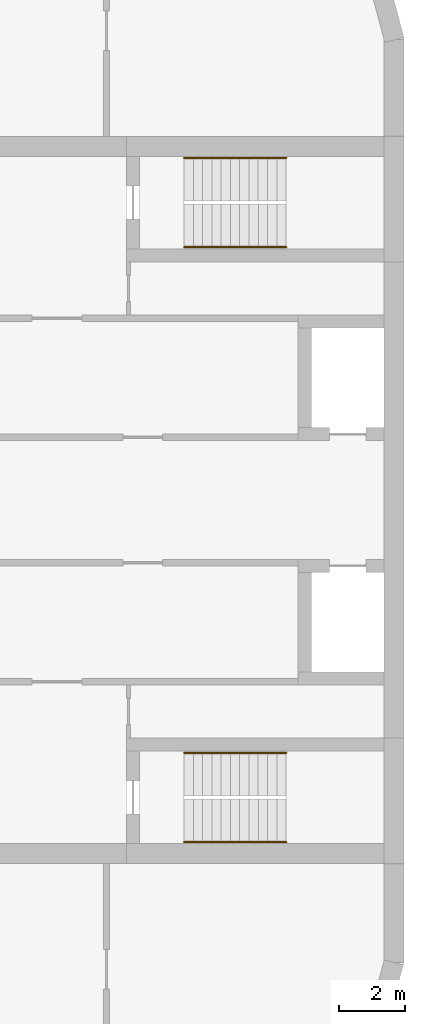
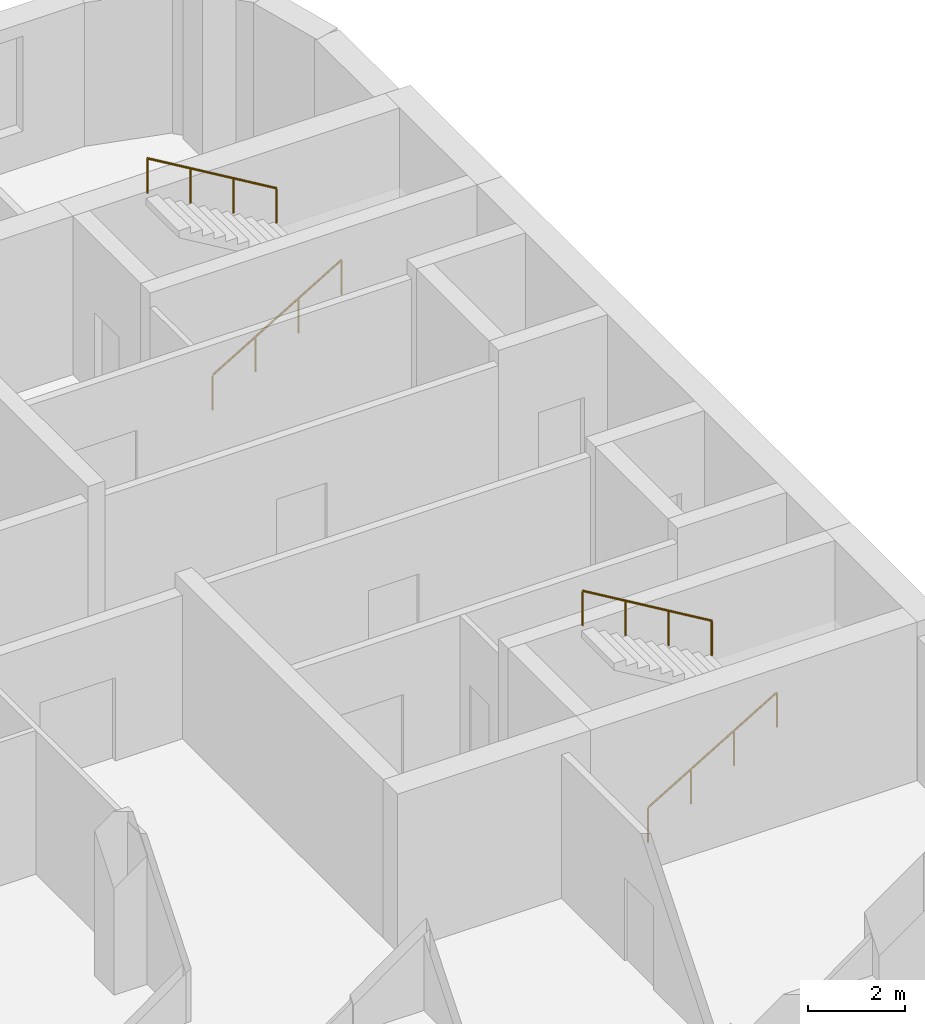
# One storey, part 12 of 12: 4 railings.
"""IFC4 building model written with IfcOpenShell, lengths in metres."""

from ifc_helpers import new_model, si_unit, direction, frame, origin, origin_2d, place, context, subcontext, project, spatial, circle, extrude, material, type_object, element, save


model = new_model("IFC4")

# Units and contexts
model_context = context("Model", 3, precision=1e-05, world=origin(), true_north=direction((0.0, 1.0)))
body_context = subcontext(model_context, "Body", "Model", "MODEL_VIEW")
ifc_project = project(units=[si_unit("LENGTHUNIT", "METRE"), si_unit("AREAUNIT", "SQUARE_METRE"), si_unit("VOLUMEUNIT", "CUBIC_METRE"), si_unit("PLANEANGLEUNIT", "RADIAN"), si_unit("MASSUNIT", "GRAM", prefix="KILO")], contexts=[model_context])

# Site, building, storey
site_placement = place(None, origin())
site = spatial("IfcSite", under=ifc_project, at=site_placement, CompositionType="ELEMENT")
building_placement = place(site_placement, origin())
building = spatial("IfcBuilding", under=site, at=building_placement, Name="Skarvind Civic Tower", CompositionType="ELEMENT")
storey_placement = place(building_placement, frame((0.0, 0.0, 51.5)))
storey = spatial("IfcBuildingStorey", under=building, at=storey_placement, Name="L11", CompositionType="ELEMENT", Elevation=51.5)

# Railings
ifc_material = material(Name="Painted steel handrail", Category="steel")
railing_type = type_object("IfcRailingType", Name="Stair handrail 900", PredefinedType="HANDRAIL", material=ifc_material)
railing_1_placement = place(storey_placement, frame((160.35009765625, 135.64990234375, 0.166748046875)))
element("IfcRailing", 1, at=railing_1_placement, inside=storey, type_object=railing_type, Name="Stair handrail", PredefinedType="HANDRAIL", context=body_context, shape_type="SweptSolid", body=[
    extrude(circle(Radius=0.02392578125, at=origin_2d()), frame((0.0, 0.0, 0.8759765625), z_axis=(0.859290745958, 0.0, 0.51148745235), x_axis=(0.0, 1.0, 0.0)), (0.0, 0.0, 1.0), 3.584228515625),
    extrude(circle(Radius=0.02099609375, at=origin_2d()), origin(), (0.0, 0.0, 1.0), 0.851806640625),
    extrude(circle(Radius=0.02099609375, at=origin_2d()), frame((1.026611328125, 0.0, 0.611083984375)), (0.0, 0.0, 1.0), 0.851806640625),
    extrude(circle(Radius=0.02099609375, at=origin_2d()), frame((2.05322265625, 0.0, 1.22216796875)), (0.0, 0.0, 1.0), 0.851806640625),
    extrude(circle(Radius=0.02099609375, at=origin_2d()), frame((3.079833984375, 0.0, 1.833251953125)), (0.0, 0.0, 1.0), 0.851806640625),
])
railing_2_placement = place(storey_placement, frame((163.429931640625, 138.35009765625, 2.166748046875)))
element("IfcRailing", 2, at=railing_2_placement, inside=storey, type_object=railing_type, Name="Stair handrail", PredefinedType="HANDRAIL", context=body_context, shape_type="SweptSolid", body=[
    extrude(circle(Radius=0.02392578125, at=origin_2d()), frame((0.0, 0.0, 0.8759765625), z_axis=(-0.859290745958, 0.0, 0.51148745235), x_axis=(0.0, -1.0, 0.0)), (0.0, 0.0, 1.0), 3.584228515625),
    extrude(circle(Radius=0.02099609375, at=origin_2d()), origin(), (0.0, 0.0, 1.0), 0.851806640625),
    extrude(circle(Radius=0.02099609375, at=origin_2d()), frame((-1.026611328125, 0.0, 0.611083984375)), (0.0, 0.0, 1.0), 0.851806640625),
    extrude(circle(Radius=0.02099609375, at=origin_2d()), frame((-2.05322265625, 0.0, 1.22216796875)), (0.0, 0.0, 1.0), 0.851806640625),
    extrude(circle(Radius=0.02099609375, at=origin_2d()), frame((-3.079833984375, 0.0, 1.833251953125)), (0.0, 0.0, 1.0), 0.851806640625),
])
railing_3_placement = place(storey_placement, frame((160.35009765625, 117.64990234375, 0.166748046875)))
element("IfcRailing", 3, at=railing_3_placement, inside=storey, type_object=railing_type, Name="Stair handrail", PredefinedType="HANDRAIL", context=body_context, shape_type="SweptSolid", body=[
    extrude(circle(Radius=0.02392578125, at=origin_2d()), frame((0.0, 0.0, 0.8759765625), z_axis=(0.859290745958, 0.0, 0.51148745235), x_axis=(0.0, 1.0, 0.0)), (0.0, 0.0, 1.0), 3.584228515625),
    extrude(circle(Radius=0.02099609375, at=origin_2d()), origin(), (0.0, 0.0, 1.0), 0.851806640625),
    extrude(circle(Radius=0.02099609375, at=origin_2d()), frame((1.026611328125, 0.0, 0.611083984375)), (0.0, 0.0, 1.0), 0.851806640625),
    extrude(circle(Radius=0.02099609375, at=origin_2d()), frame((2.05322265625, 0.0, 1.22216796875)), (0.0, 0.0, 1.0), 0.851806640625),
    extrude(circle(Radius=0.02099609375, at=origin_2d()), frame((3.079833984375, 0.0, 1.833251953125)), (0.0, 0.0, 1.0), 0.851806640625),
])
railing_4_placement = place(storey_placement, frame((163.429931640625, 120.35009765625, 2.166748046875)))
element("IfcRailing", 4, at=railing_4_placement, inside=storey, type_object=railing_type, Name="Stair handrail", PredefinedType="HANDRAIL", context=body_context, shape_type="SweptSolid", body=[
    extrude(circle(Radius=0.02392578125, at=origin_2d()), frame((0.0, 0.0, 0.8759765625), z_axis=(-0.859290745958, 0.0, 0.51148745235), x_axis=(0.0, -1.0, 0.0)), (0.0, 0.0, 1.0), 3.584228515625),
    extrude(circle(Radius=0.02099609375, at=origin_2d()), origin(), (0.0, 0.0, 1.0), 0.851806640625),
    extrude(circle(Radius=0.02099609375, at=origin_2d()), frame((-1.026611328125, 0.0, 0.611083984375)), (0.0, 0.0, 1.0), 0.851806640625),
    extrude(circle(Radius=0.02099609375, at=origin_2d()), frame((-2.05322265625, 0.0, 1.22216796875)), (0.0, 0.0, 1.0), 0.851806640625),
    extrude(circle(Radius=0.02099609375, at=origin_2d()), frame((-3.079833984375, 0.0, 1.833251953125)), (0.0, 0.0, 1.0), 0.851806640625),
])

save(model, "model.ifc")
